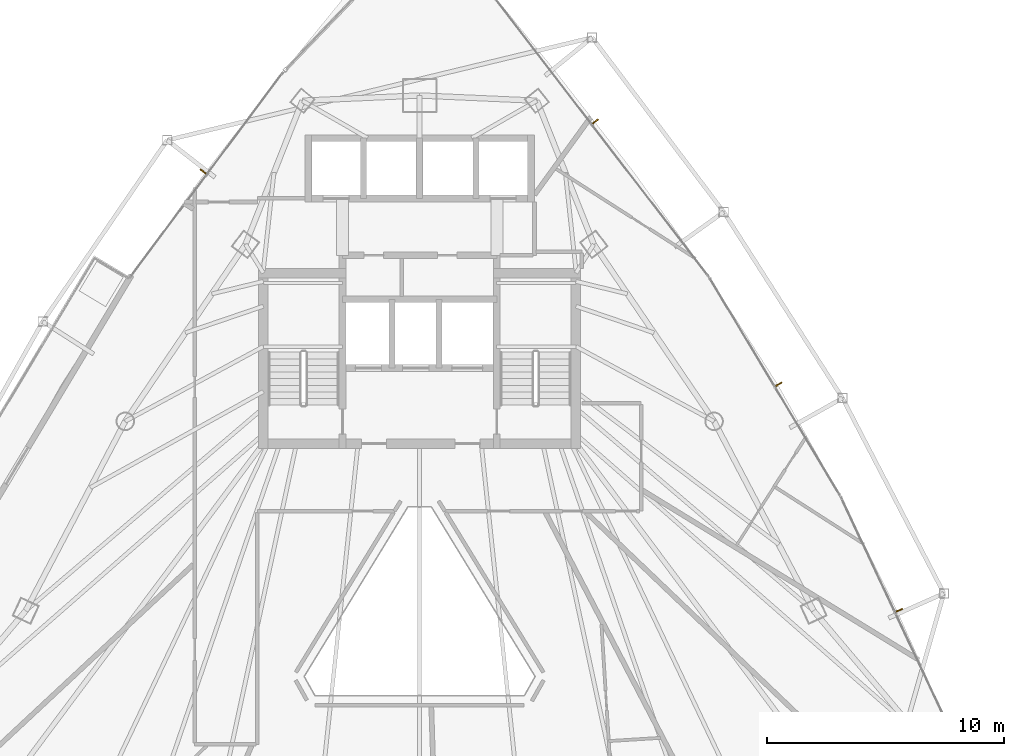
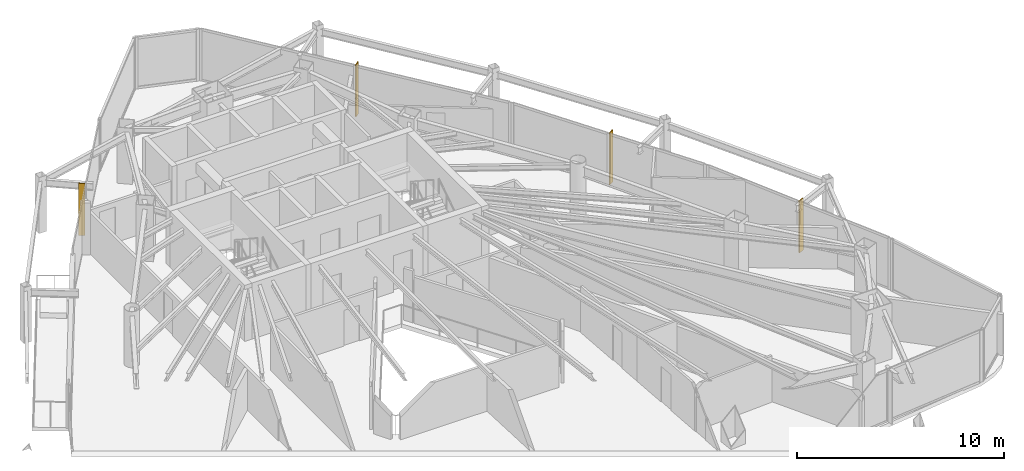
# One storey, part 29 of 29: 4 shading devices.
"""IFC4 building model written with IfcOpenShell, lengths in metres."""

import ifcopenshell
import ifcopenshell.guid

model = None  # the IFC model being written
_history = None  # IfcOwnerHistory: only IFC2X3 demands one
_inside = {}  # id of a spatial element -> (the spatial element, [elements in it])
_under = {}  # id of a project, library or spatial element -> (it, [spatial elements below it])
_declared = {}  # id of a project -> (the project, [libraries it declares])
_typed = {}  # id of a type object -> (the type object, [elements of that type])
_made_of = {}  # id of a material, layer set ... -> (it, [elements and type objects made of it])


def new_model(schema):
    """Start an empty IFC model of exactly this schema.

    Asked for "IFC4X3", IfcOpenShell would pick the latest addendum, in which some entities
    have other attributes; the version numbers below select the first issue.
    IFC2X3 requires an IfcOwnerHistory on every rooted entity: one is made here for all.
    """
    global model, _history
    if schema == "IFC4X3":
        model = ifcopenshell.file(schema_version=(4, 3, 0, 0))
    else:
        model = ifcopenshell.file(schema=schema)
    _inside.clear()
    _under.clear()
    _declared.clear()
    _typed.clear()
    _made_of.clear()
    _history = None
    if model.schema == "IFC2X3":
        org = make("IfcOrganization", Name="unknown")
        user = make(
            "IfcPersonAndOrganization",
            ThePerson=make("IfcPerson", FamilyName="unknown"),
            TheOrganization=org,
        )
        app = make(
            "IfcApplication",
            ApplicationDeveloper=org,
            Version="unknown",
            ApplicationFullName="unknown",
            ApplicationIdentifier="unknown",
        )
        _history = make(
            "IfcOwnerHistory",
            OwningUser=user,
            OwningApplication=app,
            ChangeAction="ADDED",
            CreationDate=0,
        )
    return model


def make(cls, **values):
    """One entity of the class cls with the attributes given. An attribute that is None is left unset."""
    return model.create_entity(
        cls, **{name: value for name, value in values.items() if value is not None}
    )


def rooted(cls, **values):
    """An entity with a GlobalId (a new one), such as an element, a storey or a relation."""
    return make(cls, GlobalId=ifcopenshell.guid.new(), OwnerHistory=_history, **values)


def si_unit(unit_type, name, prefix=None):
    """IfcSIUnit, for example si_unit("LENGTHUNIT", "METRE", prefix="MILLI")."""
    return make("IfcSIUnit", UnitType=unit_type, Prefix=prefix, Name=name)


def assignment(units):
    """IfcUnitAssignment: the units of a project."""
    return None if units is None else make("IfcUnitAssignment", Units=units)


def point(xyz):
    """IfcCartesianPoint."""
    return None if xyz is None else make("IfcCartesianPoint", Coordinates=xyz)


def direction(xyz):
    """IfcDirection."""
    return None if xyz is None else make("IfcDirection", DirectionRatios=xyz)


def frame(location, z_axis=None, x_axis=None):
    """IfcAxis2Placement3D, a coordinate frame: its origin and axes. An axis left out is left unset."""
    return make(
        "IfcAxis2Placement3D",
        Location=point(location),
        Axis=direction(z_axis),
        RefDirection=direction(x_axis),
    )


def frame_2d(location, x_axis=None):
    """IfcAxis2Placement2D, a coordinate frame in the plane: its origin and x axis."""
    return make(
        "IfcAxis2Placement2D", Location=point(location), RefDirection=direction(x_axis)
    )


def origin():
    """The frame at (0, 0, 0) with its axes left unset."""
    return frame((0.0, 0.0, 0.0))


def origin_2d():
    """The frame at (0, 0) in the plane with its x axis left unset."""
    return frame_2d((0.0, 0.0))


def place(relative_to, where):
    """IfcLocalPlacement: puts the frame where relative to a parent placement (None: the world)."""
    return make(
        "IfcLocalPlacement", PlacementRelTo=relative_to, RelativePlacement=where
    )


def context(
    kind, dimensions, precision=None, world=None, true_north=None, identifier=None
):
    """IfcGeometricRepresentationContext, for example the 3D "Model" context."""
    return make(
        "IfcGeometricRepresentationContext",
        ContextIdentifier=identifier,
        ContextType=kind,
        CoordinateSpaceDimension=dimensions,
        Precision=precision,
        WorldCoordinateSystem=world,
        TrueNorth=true_north,
    )


def subcontext(parent, identifier, kind, view, scale=None):
    """IfcGeometricRepresentationSubContext, for example "Body" below "Model"."""
    return make(
        "IfcGeometricRepresentationSubContext",
        ContextIdentifier=identifier,
        ContextType=kind,
        ParentContext=parent,
        TargetScale=scale,
        TargetView=view,
    )


def project(units=None, contexts=None):
    """IfcProject with its units and contexts."""
    return rooted(
        "IfcProject",
        Name="project",
        RepresentationContexts=contexts,
        UnitsInContext=assignment(units),
    )


def spatial(cls, under=None, at=None, **own):
    """A site, building, storey or space (cls), placed at a placement, below another one or the project."""
    s = rooted(cls, ObjectPlacement=at, **own)
    if under is not None:
        _under.setdefault(under.id(), (under, []))[1].append(s)
    return s


def profile(cls, at=None, kind="AREA", **sizes):
    """A parametric profile (cls). Its sizes go by their IFC names, for example OverallWidth=200.0."""
    return make(cls, ProfileType=kind, Position=at, **sizes)


def rectangle(**sizes):
    """IfcRectangleProfileDef."""
    return profile("IfcRectangleProfileDef", **sizes)


def extrude(swept, where, along, depth):
    """IfcExtrudedAreaSolid: the profile swept, set in the frame where, extruded along a direction by depth."""
    return make(
        "IfcExtrudedAreaSolid",
        SweptArea=swept,
        Position=where,
        ExtrudedDirection=direction(along),
        Depth=depth,
    )


def shape(context_of_items, identifier, shape_type, items):
    """IfcShapeRepresentation: the items that make up one representation, for example the "Body"."""
    return make(
        "IfcShapeRepresentation",
        ContextOfItems=context_of_items,
        RepresentationIdentifier=identifier,
        RepresentationType=shape_type,
        Items=items,
    )


def material(Name=None, Category=None):
    """IfcMaterial."""
    return make("IfcMaterial", Name=Name, Category=Category)


def layer(
    of_material, thickness, ventilated=None, Name=None, Category=None, Priority=None
):
    """IfcMaterialLayer: one layer of a wall or slab, of a material (None: an air gap)."""
    return make(
        "IfcMaterialLayer",
        Material=of_material,
        LayerThickness=thickness,
        IsVentilated=ventilated,
        Name=Name,
        Category=Category,
        Priority=Priority,
    )


def layer_set(layers, Name=None):
    """IfcMaterialLayerSet."""
    return make("IfcMaterialLayerSet", MaterialLayers=layers, LayerSetName=Name)


def made_of(thing, what):
    """Note that an element or type object is made of a material, layer set ...; save() writes the relation."""
    if what is not None:
        _made_of.setdefault(what.id(), (what, []))[1].append(thing)
    return thing


def type_object(cls, material=None, **own):
    """A type object (cls), such as IfcWallType, which elements share."""
    return made_of(rooted(cls, **own), material)


def element(
    cls,
    number,
    at=None,
    inside=None,
    cuts=None,
    type_object=None,
    material=None,
    context=None,
    identifier="Body",
    shape_type=None,
    held_by="IfcProductDefinitionShape",
    body=None,
    shapes=None,
    **own,
):
    """One element of the class cls, such as IfcWall. Its Tag is "e" and its number.

    at: its placement. inside: the storey or other place that contains it. cuts: it is an
    opening in that element (IfcRelVoidsElement). A single representation is given by context,
    identifier, shape_type and body (its items); several are given by shapes. held_by: the class
    of the entity that holds the representations. save() writes the other relations.
    """
    e = rooted(cls, Tag="e%d" % number, ObjectPlacement=at, **own)
    if body is not None:
        shapes = [shape(context, identifier, shape_type, body)]
    if shapes is not None:
        e.Representation = make(held_by, Representations=shapes)
    if inside is not None:
        _inside.setdefault(inside.id(), (inside, []))[1].append(e)
    if cuts is not None:
        rooted(
            "IfcRelVoidsElement", RelatingBuildingElement=cuts, RelatedOpeningElement=e
        )
    if type_object is not None:
        _typed.setdefault(type_object.id(), (type_object, []))[1].append(e)
    return made_of(e, material)


def aggregate(whole, parts):
    """IfcRelAggregates: a whole, such as a stair, and the parts it consists of."""
    return rooted("IfcRelAggregates", RelatingObject=whole, RelatedObjects=parts)


def save(model, path):
    """Write the relations noted so far, then the file.

    IfcRelAggregates (storeys below a building ...), IfcRelContainedInSpatialStructure (elements
    in a storey), IfcRelDefinesByType, IfcRelAssociatesMaterial and IfcRelDeclares: one each for
    every whole, place, type object, material and project.
    """
    for whole, parts in _under.values():
        aggregate(whole, parts)
    for where, things in _inside.values():
        rooted(
            "IfcRelContainedInSpatialStructure",
            RelatedElements=things,
            RelatingStructure=where,
        )
    for kind, things in _typed.values():
        rooted("IfcRelDefinesByType", RelatedObjects=things, RelatingType=kind)
    for what, things in _made_of.values():
        rooted("IfcRelAssociatesMaterial", RelatedObjects=things, RelatingMaterial=what)
    for by, libraries in _declared.values():
        rooted("IfcRelDeclares", RelatingContext=by, RelatedDefinitions=libraries)
    model.write(path)


model = new_model("IFC4")

# Units and contexts
model_context = context("Model", 3, precision=1e-05, world=origin(), true_north=direction((0.0, 1.0)))
body_context = subcontext(model_context, "Body", "Model", "MODEL_VIEW")
ifc_project = project(units=[si_unit("LENGTHUNIT", "METRE"), si_unit("AREAUNIT", "SQUARE_METRE"), si_unit("VOLUMEUNIT", "CUBIC_METRE"), si_unit("PLANEANGLEUNIT", "RADIAN"), si_unit("MASSUNIT", "GRAM", prefix="KILO")], contexts=[model_context])

# Site, building, storey
site_placement = place(None, origin())
site = spatial("IfcSite", under=ifc_project, at=site_placement, CompositionType="ELEMENT")
building_placement = place(site_placement, origin())
building = spatial("IfcBuilding", under=site, at=building_placement, Name="Orvanel Arch Residences", CompositionType="ELEMENT")
storey_placement = place(building_placement, frame((0.0, 0.0, 170.449951171875)))
storey = spatial("IfcBuildingStorey", under=building, at=storey_placement, Name="L48", CompositionType="ELEMENT", Elevation=170.449951171875)

# Shading devices
ifc_material = material(Name="Bronze-anodised aluminium AA6063-T6", Category="aluminium")
ifc_layer = layer(ifc_material, 0.054931640625)
ifc_layer_set = layer_set([ifc_layer], Name="Bronze-anodised aluminium AA6063-T6")
shading_device_type = type_object("IfcShadingDeviceType", Name="FIN-BRZ-320", PredefinedType="USERDEFINED", material=ifc_layer_set)
for number, where, z_axis, x_axis, name in (
    (1, (23.867919921875, 38.180908203125, 0.0), (0.0, 0.0, 1.0), (-0.801775644244, 0.597625146976, 0.0), "L48 Anodised Bronze Mullion FIN 01"),
    (2, (53.243896484375, 19.656982421875, 0.0), (0.0, 0.0, 1.0), (0.904827052466, 0.425779291565, 0.0), "L48 Anodised Bronze Mullion FIN 01"),
    (3, (48.156982421875, 29.199951171875, 0.0), (0.0, 0.0, 1.0), (0.857167300702, 0.51503807491, 0.0), "L48 Anodised Bronze Mullion FIN 01"),
    (4, (40.412109375, 40.2958984375, 0.0), (0.0, 0.0, 1.0), (0.793353340291, 0.608761429009, 0.0), "L48 Anodised Bronze Mullion FIN 01"),
):
    element("IfcShadingDevice", number, at=place(storey_placement, frame(where, z_axis=z_axis, x_axis=x_axis)), inside=storey, type_object=shading_device_type, Name=name, ObjectType="FIN", PredefinedType="USERDEFINED", context=body_context, shape_type="SweptSolid", body=[
        extrude(rectangle(XDim=0.320068359375, YDim=0.054931640625, at=origin_2d()), origin(), (0.0, 0.0, 1.0), 3.06005859375),
    ])

save(model, "model.ifc")
